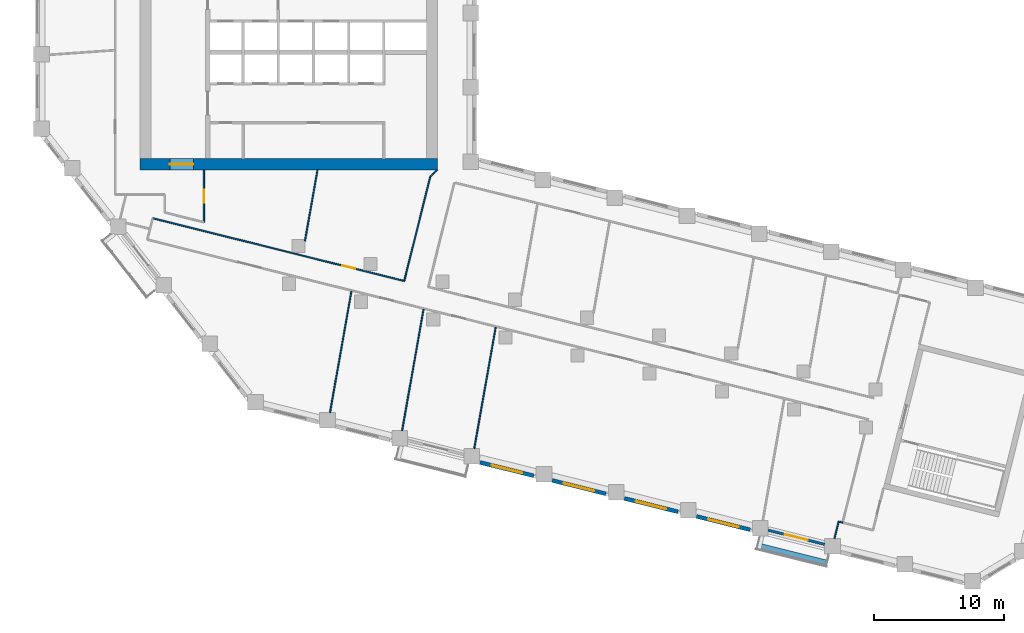
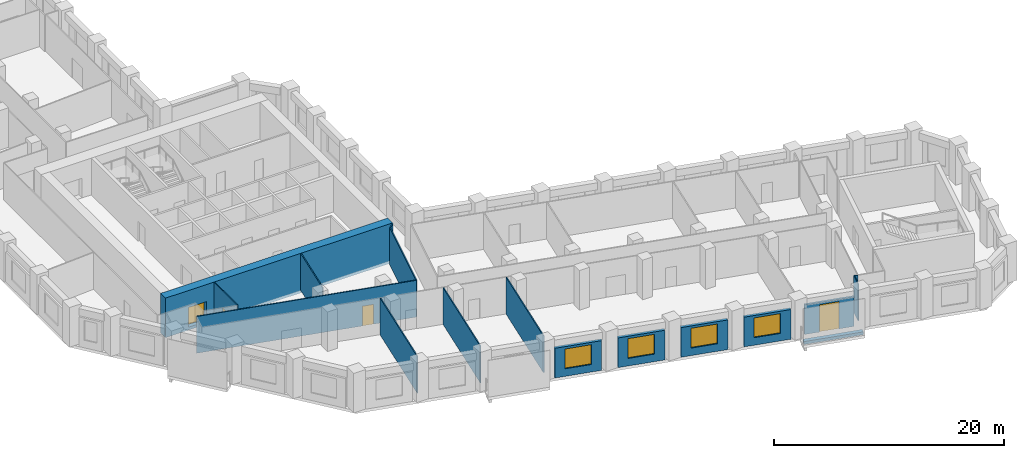
# One storey, part 3 of 10: 17 walls, 4 doors, 4 windows, 8 openings.
"""IFC4 building model written with IfcOpenShell, lengths in metres."""

from ifc_helpers import new_model, si_unit, direction, frame, frame_2d, origin, place, context, subcontext, project, spatial, rectangle, extrude, material, layer, layer_set, type_object, element, fill, save


model = new_model("IFC4")

# Units and contexts
model_context = context("Model", 3, precision=1e-05, world=origin(), true_north=direction((0.0, 1.0)))
body_context = subcontext(model_context, "Body", "Model", "MODEL_VIEW")
ifc_project = project(units=[si_unit("LENGTHUNIT", "METRE"), si_unit("AREAUNIT", "SQUARE_METRE"), si_unit("VOLUMEUNIT", "CUBIC_METRE"), si_unit("PLANEANGLEUNIT", "RADIAN"), si_unit("MASSUNIT", "GRAM", prefix="KILO")], contexts=[model_context])

# Site, building, storey
site_placement = place(None, origin())
site = spatial("IfcSite", under=ifc_project, at=site_placement, CompositionType="ELEMENT")
building_placement = place(site_placement, origin())
building = spatial("IfcBuilding", under=site, at=building_placement, Name="Meshkara Civic Tower", CompositionType="ELEMENT")
storey_placement = place(building_placement, frame((0.0, 0.0, 199.199951171875)))
storey = spatial("IfcBuildingStorey", under=building, at=storey_placement, Name="L45", CompositionType="ELEMENT", Elevation=199.199951171875)

# Wall, opening, door
ifc_material_1 = material(Name="Concrete C70", Category="concrete")
ifc_layer_1 = layer(ifc_material_1, 0.85009765625)
ifc_layer_set_1 = layer_set([ifc_layer_1], Name="Core ring wall 850 C70")
wall_type_1 = type_object("IfcWallType", Name="Core ring wall 850 C70", PredefinedType="SHEAR", material=ifc_layer_set_1)
wall_1_placement = place(storey_placement, frame((8.0, 14.52490234375, -0.300048828125), z_axis=(0.0, 0.0, 1.0), x_axis=(1.0, 0.0, 0.0)))
wall_1 = element("IfcWall", 1, at=wall_1_placement, inside=storey, type_object=wall_type_1, Name="L45-C001", PredefinedType="SHEAR", context=body_context, shape_type="SweptSolid", body=[
    extrude(rectangle(XDim=22.800048828125, YDim=0.85009765625, at=frame_2d((11.39990234375, 0.0))), origin(), (0.0, 0.0, 1.0), 4.2001953125),
])
opening_1_placement = place(wall_1_placement, frame((2.300048828125, 0.0, 0.300048828125)))
opening_1 = element("IfcOpeningElement", 2, at=opening_1_placement, cuts=wall_1, Name="Opening L45-K021", PredefinedType="OPENING", context=body_context, shape_type="SweptSolid", body=[
    extrude(rectangle(XDim=1.800048828125, YDim=2.10009765625, at=frame_2d((0.89990234375, 1.050048828125))), frame((0.0, 0.43505859375, 0.0), z_axis=(0.0, -1.0, 0.0), x_axis=(1.0, 0.0, 0.0)), (0.0, 0.0, 1.0), 0.8701171875),
])
ifc_material_2 = material(Name="Fire-rated door leaf in steel frame", Category="steel")
door_type_1 = type_object("IfcDoorType", Name="Core double door 1800 EI 60", OperationType="DOUBLE_DOOR_SINGLE_SWING", PredefinedType="DOOR", material=ifc_material_2)
door_1_placement = place(opening_1_placement, origin())
door_1 = element("IfcDoor", 3, at=door_1_placement, inside=storey, type_object=door_type_1, Name="L45-K021", OperationType="DOUBLE_DOOR_SINGLE_SWING", OverallHeight=2.10009765625, OverallWidth=1.800048828125, PredefinedType="DOOR", context=body_context, shape_type="SweptSolid", body=[
    extrude(rectangle(XDim=1.800048828125, YDim=2.10009765625, at=frame_2d((0.89990234375, 1.050048828125))), frame((0.0, 0.02490234375, 0.0), z_axis=(0.0, -1.0, 0.0), x_axis=(1.0, 0.0, 0.0)), (0.0, 0.0, 1.0), 0.050048828125),
])
fill(opening_1, door_1)

ifc_material_3 = material(Name="Corridor wall 100")
ifc_layer_2 = layer(ifc_material_3, 0.10009765625)
ifc_layer_set_2 = layer_set([ifc_layer_2], Name="Corridor wall 100")
wall_type_2 = type_object("IfcWallType", Name="Corridor wall 100", PredefinedType="PARTITIONING", material=ifc_layer_set_2)
wall_2_placement = place(storey_placement, frame((8.972900390625, 10.382080078125, 0.0), z_axis=(0.0, 0.0, 1.0), x_axis=(0.970286808807, -0.241957658808, 0.0)))
wall_2 = element("IfcWall", 4, at=wall_2_placement, inside=storey, type_object=wall_type_2, Name="L45-W007", PredefinedType="PARTITIONING", context=body_context, shape_type="SweptSolid", body=[
    extrude(rectangle(XDim=19.879638671875, YDim=0.10009765625, at=frame_2d((9.93994140625, 0.0))), origin(), (0.0, 0.0, 1.0), 3.900146484375),
])
opening_2_placement = place(wall_2_placement, frame((15.006103515625, 0.0, 0.0)))
opening_2 = element("IfcOpeningElement", 5, at=opening_2_placement, cuts=wall_2, Name="Opening L45-D013", PredefinedType="OPENING", context=body_context, shape_type="SweptSolid", body=[
    extrude(rectangle(XDim=1.0, YDim=2.10009765625, at=frame_2d((0.5, 1.050048828125))), frame((0.0, 0.06005859375, 0.0), z_axis=(0.0, -1.0, 0.0), x_axis=(1.0, 0.0, 0.0)), (0.0, 0.0, 1.0), 0.1201171875),
])
ifc_material_4 = material(Name="Door 1000 x 2100")
door_type_2 = type_object("IfcDoorType", Name="Door 1000 x 2100", OperationType="SINGLE_SWING_LEFT", PredefinedType="DOOR", material=ifc_material_4)
door_2_placement = place(opening_2_placement, origin())
door_2 = element("IfcDoor", 6, at=door_2_placement, inside=storey, type_object=door_type_2, Name="L45-D013", OperationType="SINGLE_SWING_LEFT", OverallHeight=2.10009765625, OverallWidth=1.0, PredefinedType="DOOR", context=body_context, shape_type="SweptSolid", body=[
    extrude(rectangle(XDim=1.0, YDim=2.10009765625, at=frame_2d((0.5, 1.050048828125))), frame((0.0, 0.02490234375, 0.0), z_axis=(0.0, -1.0, 0.0), x_axis=(1.0, 0.0, 0.0)), (0.0, 0.0, 1.0), 0.050048828125),
])
fill(opening_2, door_2)

wall_3_placement = place(storey_placement, frame((12.89990234375, 10.077880859375, 0.0), z_axis=(0.0, 0.0, 1.0), x_axis=(0.0, 1.0, 0.0)))
wall_3 = element("IfcWall", 7, at=wall_3_placement, inside=storey, type_object=wall_type_2, Name="L45-W014", PredefinedType="PARTITIONING", context=body_context, shape_type="SweptSolid", body=[
    extrude(rectangle(XDim=4.022216796875, YDim=0.10009765625, at=frame_2d((2.01123046875, 0.0))), origin(), (0.0, 0.0, 1.0), 3.900146484375),
])
opening_3_placement = place(wall_3_placement, frame((1.47998046875, 0.0, 0.0)))
opening_3 = element("IfcOpeningElement", 8, at=opening_3_placement, cuts=wall_3, Name="Opening L45-D016", PredefinedType="OPENING", context=body_context, shape_type="SweptSolid", body=[
    extrude(rectangle(XDim=1.0, YDim=2.10009765625, at=frame_2d((0.5, 1.050048828125))), frame((0.0, 0.06005859375, 0.0), z_axis=(0.0, -1.0, 0.0), x_axis=(1.0, 0.0, 0.0)), (0.0, 0.0, 1.0), 0.1201171875),
])
door_3_placement = place(opening_3_placement, origin())
door_3 = element("IfcDoor", 9, at=door_3_placement, inside=storey, type_object=door_type_2, Name="L45-D016", OperationType="SINGLE_SWING_RIGHT", OverallHeight=2.10009765625, OverallWidth=1.0, PredefinedType="DOOR", context=body_context, shape_type="SweptSolid", body=[
    extrude(rectangle(XDim=1.0, YDim=2.10009765625, at=frame_2d((0.5, 1.050048828125))), frame((0.0, 0.02490234375, 0.0), z_axis=(0.0, -1.0, 0.0), x_axis=(1.0, 0.0, 0.0)), (0.0, 0.0, 1.0), 0.050048828125),
])
fill(opening_3, door_3)

# Walls
wall_4_placement = place(storey_placement, frame((30.259033203125, 13.5830078125, 0.0), z_axis=(0.0, 0.0, 1.0), x_axis=(-0.241888494143, -0.970304053584, 0.0)))
element("IfcWall", 10, at=wall_4_placement, inside=storey, type_object=wall_type_2, Name="L45-W024", PredefinedType="PARTITIONING", context=body_context, shape_type="SweptSolid", body=[
    extrude(rectangle(XDim=8.256103515625, YDim=0.10009765625, at=frame_2d((4.1279296875, 0.0))), origin(), (0.0, 0.0, 1.0), 3.900146484375),
])
wall_5_placement = place(storey_placement, frame((30.800048828125, 14.10009765625, 0.0), z_axis=(0.0, 0.0, 1.0), x_axis=(-0.722911025189, -0.690941133281, 0.0)))
element("IfcWall", 11, at=wall_5_placement, inside=storey, type_object=wall_type_2, Name="L45-W025", PredefinedType="PARTITIONING", context=body_context, shape_type="SweptSolid", body=[
    extrude(rectangle(XDim=0.748291015625, YDim=0.10009765625, at=frame_2d((0.3740234375, 0.0))), origin(), (0.0, 0.0, 1.0), 3.900146484375),
])

# Wall, opening, window
ifc_material_5 = material(Name="Insulated infill panel with bronze anodised aluminium cladding", Category="aluminium")
ifc_layer_3 = layer(ifc_material_5, 0.300048828125)
ifc_layer_set_3 = layer_set([ifc_layer_3], Name="EXTERNAL INFILL WALL 300")
wall_type_3 = type_object("IfcWallType", Name="EXTERNAL INFILL WALL 300", PredefinedType="SOLIDWALL", material=ifc_layer_set_3)
wall_6_placement = place(storey_placement, frame((34.075927734375, -8.342041015625, 0.0), z_axis=(0.0, 0.0, 1.0), x_axis=(0.970318118028, -0.241832069473, 0.0)))
wall_6 = element("IfcWall", 12, at=wall_6_placement, inside=storey, type_object=wall_type_3, Name="External wall", PredefinedType="SOLIDWALL", context=body_context, shape_type="SweptSolid", body=[
    extrude(rectangle(XDim=4.24609375, YDim=0.300048828125, at=frame_2d((2.123046875, 0.0))), origin(), (0.0, 0.0, 1.0), 3.150146484375),
])
opening_4_placement = place(wall_6_placement, frame((0.923095703125, 0.0, 0.800048828125)))
opening_4 = element("IfcOpeningElement", 13, at=opening_4_placement, cuts=wall_6, Name="Opening W7", PredefinedType="OPENING", context=body_context, shape_type="SweptSolid", body=[
    extrude(rectangle(XDim=2.39990234375, YDim=2.10009765625, at=frame_2d((1.199951171875, 1.050048828125))), frame((0.0, 0.159912109375, 0.0), z_axis=(0.0, -1.0, 0.0), x_axis=(1.0, 0.0, 0.0)), (0.0, 0.0, 1.0), 0.320068359375),
])
ifc_material_6 = material(Name="Tinted double glazing", Category="glass")
window_type = type_object("IfcWindowType", Name="WINDOW 2400x2100", PartitioningType="DOUBLE_PANEL_VERTICAL", PredefinedType="WINDOW", material=ifc_material_6)
window_1_placement = place(opening_4_placement, origin())
window_1 = element("IfcWindow", 14, at=window_1_placement, inside=storey, type_object=window_type, Name="Window", OverallHeight=2.10009765625, OverallWidth=2.39990234375, PartitioningType="DOUBLE_PANEL_VERTICAL", PredefinedType="WINDOW", context=body_context, shape_type="SweptSolid", body=[
    extrude(rectangle(XDim=2.39990234375, YDim=2.10009765625, at=frame_2d((1.199951171875, 1.050048828125))), frame((0.0, 0.030029296875, 0.0), z_axis=(0.0, -1.0, 0.0), x_axis=(1.0, 0.0, 0.0)), (0.0, 0.0, 1.0), 0.06005859375),
])
fill(opening_4, window_1)

wall_7_placement = place(storey_placement, frame((39.60693359375, -9.719970703125, 0.0), z_axis=(0.0, 0.0, 1.0), x_axis=(0.970250625545, -0.242102712975, 0.0)))
wall_7 = element("IfcWall", 15, at=wall_7_placement, inside=storey, type_object=wall_type_3, Name="External wall", PredefinedType="SOLIDWALL", context=body_context, shape_type="SweptSolid", body=[
    extrude(rectangle(XDim=4.246337890625, YDim=0.300048828125, at=frame_2d((2.123046875, 0.0))), origin(), (0.0, 0.0, 1.0), 3.150146484375),
])
opening_5_placement = place(wall_7_placement, frame((0.923095703125, 0.0, 0.800048828125)))
opening_5 = element("IfcOpeningElement", 16, at=opening_5_placement, cuts=wall_7, Name="Opening W7", PredefinedType="OPENING", context=body_context, shape_type="SweptSolid", body=[
    extrude(rectangle(XDim=2.39990234375, YDim=2.10009765625, at=frame_2d((1.199951171875, 1.050048828125))), frame((0.0, 0.159912109375, 0.0), z_axis=(0.0, -1.0, 0.0), x_axis=(1.0, 0.0, 0.0)), (0.0, 0.0, 1.0), 0.320068359375),
])
window_2_placement = place(opening_5_placement, origin())
window_2 = element("IfcWindow", 17, at=window_2_placement, inside=storey, type_object=window_type, Name="Window", OverallHeight=2.10009765625, OverallWidth=2.39990234375, PartitioningType="DOUBLE_PANEL_VERTICAL", PredefinedType="WINDOW", context=body_context, shape_type="SweptSolid", body=[
    extrude(rectangle(XDim=2.39990234375, YDim=2.10009765625, at=frame_2d((1.199951171875, 1.050048828125))), frame((0.0, 0.030029296875, 0.0), z_axis=(0.0, -1.0, 0.0), x_axis=(1.0, 0.0, 0.0)), (0.0, 0.0, 1.0), 0.06005859375),
])
fill(opening_5, window_2)

wall_8_placement = place(storey_placement, frame((45.137939453125, -11.09912109375, 0.0), z_axis=(0.0, 0.0, 1.0), x_axis=(0.970304663212, -0.241886048688, 0.0)))
wall_8 = element("IfcWall", 18, at=wall_8_placement, inside=storey, type_object=wall_type_3, Name="External wall", PredefinedType="SOLIDWALL", context=body_context, shape_type="SweptSolid", body=[
    extrude(rectangle(XDim=4.2451171875, YDim=0.300048828125, at=frame_2d((2.12255859375, 0.0))), origin(), (0.0, 0.0, 1.0), 3.150146484375),
])
opening_6_placement = place(wall_8_placement, frame((0.922119140625, 0.0, 0.800048828125)))
opening_6 = element("IfcOpeningElement", 19, at=opening_6_placement, cuts=wall_8, Name="Opening W7", PredefinedType="OPENING", context=body_context, shape_type="SweptSolid", body=[
    extrude(rectangle(XDim=2.39990234375, YDim=2.10009765625, at=frame_2d((1.199951171875, 1.050048828125))), frame((0.0, 0.159912109375, 0.0), z_axis=(0.0, -1.0, 0.0), x_axis=(1.0, 0.0, 0.0)), (0.0, 0.0, 1.0), 0.320068359375),
])
window_3_placement = place(opening_6_placement, origin())
window_3 = element("IfcWindow", 20, at=window_3_placement, inside=storey, type_object=window_type, Name="Window", OverallHeight=2.10009765625, OverallWidth=2.39990234375, PartitioningType="DOUBLE_PANEL_VERTICAL", PredefinedType="WINDOW", context=body_context, shape_type="SweptSolid", body=[
    extrude(rectangle(XDim=2.39990234375, YDim=2.10009765625, at=frame_2d((1.199951171875, 1.050048828125))), frame((0.0, 0.030029296875, 0.0), z_axis=(0.0, -1.0, 0.0), x_axis=(1.0, 0.0, 0.0)), (0.0, 0.0, 1.0), 0.06005859375),
])
fill(opening_6, window_3)

wall_9_placement = place(storey_placement, frame((50.66796875, -12.47802734375, 0.0), z_axis=(0.0, 0.0, 1.0), x_axis=(0.970318118028, -0.241832069473, 0.0)))
wall_9 = element("IfcWall", 21, at=wall_9_placement, inside=storey, type_object=wall_type_3, Name="External wall", PredefinedType="SOLIDWALL", context=body_context, shape_type="SweptSolid", body=[
    extrude(rectangle(XDim=4.24609375, YDim=0.300048828125, at=frame_2d((2.123046875, 0.0))), origin(), (0.0, 0.0, 1.0), 3.150146484375),
])
opening_7_placement = place(wall_9_placement, frame((0.923095703125, 0.0, 0.800048828125)))
opening_7 = element("IfcOpeningElement", 22, at=opening_7_placement, cuts=wall_9, Name="Opening W7", PredefinedType="OPENING", context=body_context, shape_type="SweptSolid", body=[
    extrude(rectangle(XDim=2.39990234375, YDim=2.10009765625, at=frame_2d((1.199951171875, 1.050048828125))), frame((0.0, 0.159912109375, 0.0), z_axis=(0.0, -1.0, 0.0), x_axis=(1.0, 0.0, 0.0)), (0.0, 0.0, 1.0), 0.320068359375),
])
window_4_placement = place(opening_7_placement, origin())
window_4 = element("IfcWindow", 23, at=window_4_placement, inside=storey, type_object=window_type, Name="Window", OverallHeight=2.10009765625, OverallWidth=2.39990234375, PartitioningType="DOUBLE_PANEL_VERTICAL", PredefinedType="WINDOW", context=body_context, shape_type="SweptSolid", body=[
    extrude(rectangle(XDim=2.39990234375, YDim=2.10009765625, at=frame_2d((1.199951171875, 1.050048828125))), frame((0.0, 0.030029296875, 0.0), z_axis=(0.0, -1.0, 0.0), x_axis=(1.0, 0.0, 0.0)), (0.0, 0.0, 1.0), 0.06005859375),
])
fill(opening_7, window_4)

# Wall, opening, door
ifc_material_7 = material(Name="Insulated infill panel with bronze anodised aluminium cladding", Category="aluminium")
ifc_layer_4 = layer(ifc_material_7, 0.199951171875)
ifc_layer_set_4 = layer_set([ifc_layer_4], Name="LOGGIA BACK WALL 200")
wall_type_4 = type_object("IfcWallType", Name="LOGGIA BACK WALL 200", PredefinedType="SOLIDWALL", material=ifc_layer_set_4)
wall_10_placement = place(storey_placement, frame((56.166015625, -13.5400390625, 0.0), z_axis=(0.0, 0.0, 1.0), x_axis=(0.970348073531, -0.241711845374, 0.0)))
wall_10 = element("IfcWall", 24, at=wall_10_placement, inside=storey, type_object=wall_type_4, Name="Loggia wall", PredefinedType="SOLIDWALL", context=body_context, shape_type="SweptSolid", body=[
    extrude(rectangle(XDim=4.46337890625, YDim=0.199951171875, at=frame_2d((2.231689453125, 0.0))), origin(), (0.0, 0.0, 1.0), 3.150146484375),
])
opening_8_placement = place(wall_10_placement, frame((1.3310546875, 0.0, 0.0)))
opening_8 = element("IfcOpeningElement", 25, at=opening_8_placement, cuts=wall_10, Name="Opening L45-L005", PredefinedType="OPENING", context=body_context, shape_type="SweptSolid", body=[
    extrude(rectangle(XDim=1.800048828125, YDim=2.89990234375, at=frame_2d((0.89990234375, 1.449951171875))), frame((0.0, 0.10986328125, 0.0), z_axis=(0.0, -1.0, 0.0), x_axis=(1.0, 0.0, 0.0)), (0.0, 0.0, 1.0), 0.219970703125),
])
ifc_material_8 = material(Name="Tinted double glazing", Category="glass")
door_type_3 = type_object("IfcDoorType", Name="LOGGIA DOOR 1800x2900", OperationType="DOUBLE_DOOR_SINGLE_SWING", PredefinedType="DOOR", material=ifc_material_8)
door_4_placement = place(opening_8_placement, origin())
door_4 = element("IfcDoor", 26, at=door_4_placement, inside=storey, type_object=door_type_3, Name="L45-L005", OperationType="DOUBLE_DOOR_SINGLE_SWING", OverallHeight=2.89990234375, OverallWidth=1.800048828125, PredefinedType="DOOR", context=body_context, shape_type="SweptSolid", body=[
    extrude(rectangle(XDim=1.800048828125, YDim=2.89990234375, at=frame_2d((0.89990234375, 1.449951171875))), frame((0.0, 0.02490234375, 0.0), z_axis=(0.0, -1.0, 0.0), x_axis=(1.0, 0.0, 0.0)), (0.0, 0.0, 1.0), 0.050048828125),
])
fill(opening_8, door_4)

# Walls
ifc_material_9 = material(Name="Concrete C40", Category="concrete")
ifc_layer_5 = layer(ifc_material_9, 0.39990234375)
ifc_layer_set_5 = layer_set([ifc_layer_5], Name="PLANTER TRAY")
wall_type_5 = type_object("IfcWallType", Name="PLANTER TRAY", PredefinedType="SOLIDWALL", material=ifc_layer_set_5)
wall_11_placement = place(storey_placement, frame((55.408935546875, -14.721923828125, 0.0), z_axis=(0.0, 0.0, 1.0), x_axis=(0.970324412772, -0.241806811275, 0.0)))
element("IfcWall", 27, at=wall_11_placement, inside=storey, type_object=wall_type_5, Name="Planter", PredefinedType="SOLIDWALL", context=body_context, shape_type="SweptSolid", body=[
    extrude(rectangle(XDim=5.3603515625, YDim=0.39990234375, at=frame_2d((2.68017578125, 0.0))), origin(), (0.0, 0.0, 1.0), 0.300048828125),
])
ifc_material_10 = material(Name="Partition 100")
ifc_layer_6 = layer(ifc_material_10, 0.10009765625)
ifc_layer_set_6 = layer_set([ifc_layer_6], Name="Partition 100")
wall_type_6 = type_object("IfcWallType", Name="Partition 100", PredefinedType="PARTITIONING", material=ifc_layer_set_6)
wall_12_placement = place(storey_placement, frame((20.64892578125, 8.636962890625, 0.0), z_axis=(0.0, 0.0, 1.0), x_axis=(0.173619629197, 0.984812786451, 0.0)))
element("IfcWall", 28, at=wall_12_placement, inside=storey, type_object=wall_type_6, Name="L45-W043", PredefinedType="PARTITIONING", context=body_context, shape_type="SweptSolid", body=[
    extrude(rectangle(XDim=5.54736328125, YDim=0.10009765625, at=frame_2d((2.773681640625, 0.0))), origin(), (0.0, 0.0, 1.0), 3.900146484375),
])
wall_13_placement = place(storey_placement, frame((22.569091796875, -4.51708984375, 0.0), z_axis=(0.0, 0.0, 1.0), x_axis=(0.173660042162, 0.984805660908, 0.0)))
element("IfcWall", 29, at=wall_13_placement, inside=storey, type_object=wall_type_6, Name="L45-W044", PredefinedType="PARTITIONING", context=body_context, shape_type="SweptSolid", body=[
    extrude(rectangle(XDim=9.44873046875, YDim=0.10009765625, at=frame_2d((4.724365234375, 0.0))), origin(), (0.0, 0.0, 1.0), 3.900146484375),
])
for number, where, z_axis, x_axis, name in (
    (30, (28.10009765625, -5.89599609375, 0.0), (0.0, 0.0, 1.0), (0.173664461196, 0.984804881648, 0.0), "L45-W045"),
    (31, (33.631103515625, -7.27490234375, 0.0), (0.0, 0.0, 1.0), (0.173664461196, 0.984804881648, 0.0), "L45-W046"),
):
    element("IfcWall", number, at=place(storey_placement, frame(where, z_axis=z_axis, x_axis=x_axis)), inside=storey, type_object=wall_type_6, Name=name, PredefinedType="PARTITIONING", context=body_context, shape_type="SweptSolid", body=[
        extrude(rectangle(XDim=9.448486328125, YDim=0.10009765625, at=frame_2d((4.72412109375, 0.0))), origin(), (0.0, 0.0, 1.0), 3.900146484375),
    ])
wall_14_placement = place(storey_placement, frame((61.2470703125, -14.1689453125, 0.0), z_axis=(0.0, 0.0, 1.0), x_axis=(0.241845285879, 0.970314824012, 0.0)))
element("IfcWall", 32, at=wall_14_placement, inside=storey, type_object=wall_type_6, Name="L45-W052", PredefinedType="PARTITIONING", context=body_context, shape_type="SweptSolid", body=[
    extrude(rectangle(XDim=1.33154296875, YDim=0.10009765625, at=frame_2d((0.665771484375, 0.0))), origin(), (0.0, 0.0, 1.0), 3.900146484375),
])
wall_15_placement = place(storey_placement, frame((61.569091796875, -12.876953125, 0.0), z_axis=(0.0, 0.0, 1.0), x_axis=(0.970187597874, -0.242355162789, 0.0)))
element("IfcWall", 33, at=wall_15_placement, inside=storey, type_object=wall_type_6, Name="L45-W053", PredefinedType="PARTITIONING", context=body_context, shape_type="SweptSolid", body=[
    extrude(rectangle(XDim=0.318359375, YDim=0.10009765625, at=frame_2d((0.1591796875, 0.0))), origin(), (0.0, 0.0, 1.0), 3.900146484375),
])

save(model, "model.ifc")
